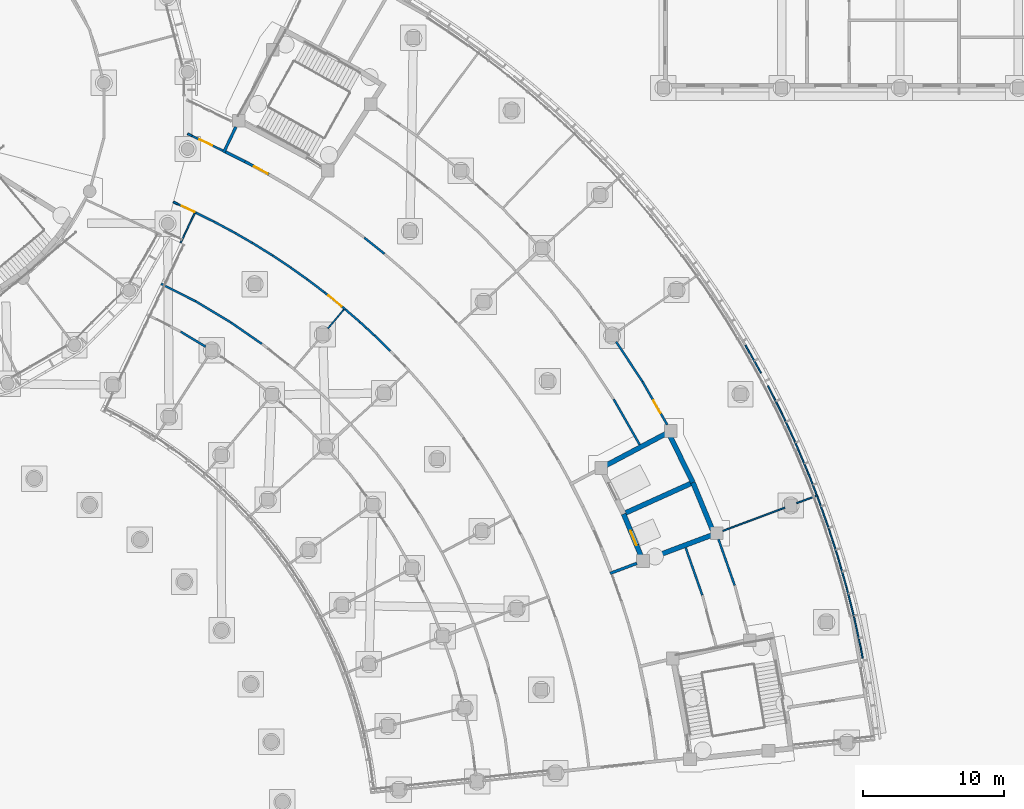
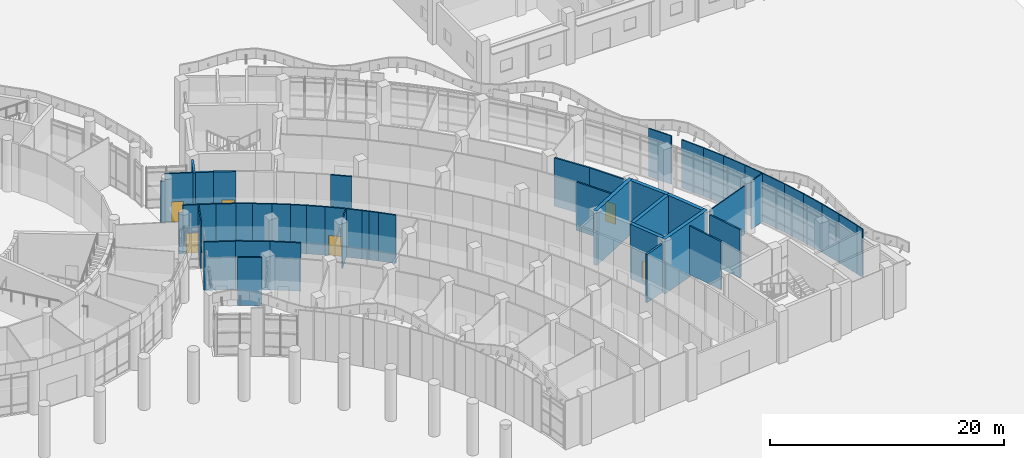
# One storey, part 78 of 146: 51 walls, 6 doors, 6 openings.
"""IFC4 building model written with IfcOpenShell, lengths in metres."""

import ifcopenshell
import ifcopenshell.guid

model = None  # the IFC model being written
_history = None  # IfcOwnerHistory: only IFC2X3 demands one
_inside = {}  # id of a spatial element -> (the spatial element, [elements in it])
_under = {}  # id of a project, library or spatial element -> (it, [spatial elements below it])
_declared = {}  # id of a project -> (the project, [libraries it declares])
_typed = {}  # id of a type object -> (the type object, [elements of that type])
_made_of = {}  # id of a material, layer set ... -> (it, [elements and type objects made of it])


def new_model(schema):
    """Start an empty IFC model of exactly this schema.

    Asked for "IFC4X3", IfcOpenShell would pick the latest addendum, in which some entities
    have other attributes; the version numbers below select the first issue.
    IFC2X3 requires an IfcOwnerHistory on every rooted entity: one is made here for all.
    """
    global model, _history
    if schema == "IFC4X3":
        model = ifcopenshell.file(schema_version=(4, 3, 0, 0))
    else:
        model = ifcopenshell.file(schema=schema)
    _inside.clear()
    _under.clear()
    _declared.clear()
    _typed.clear()
    _made_of.clear()
    _history = None
    if model.schema == "IFC2X3":
        org = make("IfcOrganization", Name="unknown")
        user = make(
            "IfcPersonAndOrganization",
            ThePerson=make("IfcPerson", FamilyName="unknown"),
            TheOrganization=org,
        )
        app = make(
            "IfcApplication",
            ApplicationDeveloper=org,
            Version="unknown",
            ApplicationFullName="unknown",
            ApplicationIdentifier="unknown",
        )
        _history = make(
            "IfcOwnerHistory",
            OwningUser=user,
            OwningApplication=app,
            ChangeAction="ADDED",
            CreationDate=0,
        )
    return model


def make(cls, **values):
    """One entity of the class cls with the attributes given. An attribute that is None is left unset."""
    return model.create_entity(
        cls, **{name: value for name, value in values.items() if value is not None}
    )


def rooted(cls, **values):
    """An entity with a GlobalId (a new one), such as an element, a storey or a relation."""
    return make(cls, GlobalId=ifcopenshell.guid.new(), OwnerHistory=_history, **values)


def si_unit(unit_type, name, prefix=None):
    """IfcSIUnit, for example si_unit("LENGTHUNIT", "METRE", prefix="MILLI")."""
    return make("IfcSIUnit", UnitType=unit_type, Prefix=prefix, Name=name)


def assignment(units):
    """IfcUnitAssignment: the units of a project."""
    return None if units is None else make("IfcUnitAssignment", Units=units)


def point(xyz):
    """IfcCartesianPoint."""
    return None if xyz is None else make("IfcCartesianPoint", Coordinates=xyz)


def direction(xyz):
    """IfcDirection."""
    return None if xyz is None else make("IfcDirection", DirectionRatios=xyz)


def frame(location, z_axis=None, x_axis=None):
    """IfcAxis2Placement3D, a coordinate frame: its origin and axes. An axis left out is left unset."""
    return make(
        "IfcAxis2Placement3D",
        Location=point(location),
        Axis=direction(z_axis),
        RefDirection=direction(x_axis),
    )


def frame_2d(location, x_axis=None):
    """IfcAxis2Placement2D, a coordinate frame in the plane: its origin and x axis."""
    return make(
        "IfcAxis2Placement2D", Location=point(location), RefDirection=direction(x_axis)
    )


def origin():
    """The frame at (0, 0, 0) with its axes left unset."""
    return frame((0.0, 0.0, 0.0))


def place(relative_to, where):
    """IfcLocalPlacement: puts the frame where relative to a parent placement (None: the world)."""
    return make(
        "IfcLocalPlacement", PlacementRelTo=relative_to, RelativePlacement=where
    )


def context(
    kind, dimensions, precision=None, world=None, true_north=None, identifier=None
):
    """IfcGeometricRepresentationContext, for example the 3D "Model" context."""
    return make(
        "IfcGeometricRepresentationContext",
        ContextIdentifier=identifier,
        ContextType=kind,
        CoordinateSpaceDimension=dimensions,
        Precision=precision,
        WorldCoordinateSystem=world,
        TrueNorth=true_north,
    )


def subcontext(parent, identifier, kind, view, scale=None):
    """IfcGeometricRepresentationSubContext, for example "Body" below "Model"."""
    return make(
        "IfcGeometricRepresentationSubContext",
        ContextIdentifier=identifier,
        ContextType=kind,
        ParentContext=parent,
        TargetScale=scale,
        TargetView=view,
    )


def project(units=None, contexts=None):
    """IfcProject with its units and contexts."""
    return rooted(
        "IfcProject",
        Name="project",
        RepresentationContexts=contexts,
        UnitsInContext=assignment(units),
    )


def spatial(cls, under=None, at=None, **own):
    """A site, building, storey or space (cls), placed at a placement, below another one or the project."""
    s = rooted(cls, ObjectPlacement=at, **own)
    if under is not None:
        _under.setdefault(under.id(), (under, []))[1].append(s)
    return s


def profile(cls, at=None, kind="AREA", **sizes):
    """A parametric profile (cls). Its sizes go by their IFC names, for example OverallWidth=200.0."""
    return make(cls, ProfileType=kind, Position=at, **sizes)


def rectangle(**sizes):
    """IfcRectangleProfileDef."""
    return profile("IfcRectangleProfileDef", **sizes)


def extrude(swept, where, along, depth):
    """IfcExtrudedAreaSolid: the profile swept, set in the frame where, extruded along a direction by depth."""
    return make(
        "IfcExtrudedAreaSolid",
        SweptArea=swept,
        Position=where,
        ExtrudedDirection=direction(along),
        Depth=depth,
    )


def shape(context_of_items, identifier, shape_type, items):
    """IfcShapeRepresentation: the items that make up one representation, for example the "Body"."""
    return make(
        "IfcShapeRepresentation",
        ContextOfItems=context_of_items,
        RepresentationIdentifier=identifier,
        RepresentationType=shape_type,
        Items=items,
    )


def material(Name=None, Category=None):
    """IfcMaterial."""
    return make("IfcMaterial", Name=Name, Category=Category)


def layer(
    of_material, thickness, ventilated=None, Name=None, Category=None, Priority=None
):
    """IfcMaterialLayer: one layer of a wall or slab, of a material (None: an air gap)."""
    return make(
        "IfcMaterialLayer",
        Material=of_material,
        LayerThickness=thickness,
        IsVentilated=ventilated,
        Name=Name,
        Category=Category,
        Priority=Priority,
    )


def layer_set(layers, Name=None):
    """IfcMaterialLayerSet."""
    return make("IfcMaterialLayerSet", MaterialLayers=layers, LayerSetName=Name)


def made_of(thing, what):
    """Note that an element or type object is made of a material, layer set ...; save() writes the relation."""
    if what is not None:
        _made_of.setdefault(what.id(), (what, []))[1].append(thing)
    return thing


def type_object(cls, material=None, **own):
    """A type object (cls), such as IfcWallType, which elements share."""
    return made_of(rooted(cls, **own), material)


def element(
    cls,
    number,
    at=None,
    inside=None,
    cuts=None,
    type_object=None,
    material=None,
    context=None,
    identifier="Body",
    shape_type=None,
    held_by="IfcProductDefinitionShape",
    body=None,
    shapes=None,
    **own,
):
    """One element of the class cls, such as IfcWall. Its Tag is "e" and its number.

    at: its placement. inside: the storey or other place that contains it. cuts: it is an
    opening in that element (IfcRelVoidsElement). A single representation is given by context,
    identifier, shape_type and body (its items); several are given by shapes. held_by: the class
    of the entity that holds the representations. save() writes the other relations.
    """
    e = rooted(cls, Tag="e%d" % number, ObjectPlacement=at, **own)
    if body is not None:
        shapes = [shape(context, identifier, shape_type, body)]
    if shapes is not None:
        e.Representation = make(held_by, Representations=shapes)
    if inside is not None:
        _inside.setdefault(inside.id(), (inside, []))[1].append(e)
    if cuts is not None:
        rooted(
            "IfcRelVoidsElement", RelatingBuildingElement=cuts, RelatedOpeningElement=e
        )
    if type_object is not None:
        _typed.setdefault(type_object.id(), (type_object, []))[1].append(e)
    return made_of(e, material)


def fill(opening, filler):
    """IfcRelFillsElement: the door or window that sits in an opening."""
    return rooted(
        "IfcRelFillsElement",
        RelatingOpeningElement=opening,
        RelatedBuildingElement=filler,
    )


def aggregate(whole, parts):
    """IfcRelAggregates: a whole, such as a stair, and the parts it consists of."""
    return rooted("IfcRelAggregates", RelatingObject=whole, RelatedObjects=parts)


def save(model, path):
    """Write the relations noted so far, then the file.

    IfcRelAggregates (storeys below a building ...), IfcRelContainedInSpatialStructure (elements
    in a storey), IfcRelDefinesByType, IfcRelAssociatesMaterial and IfcRelDeclares: one each for
    every whole, place, type object, material and project.
    """
    for whole, parts in _under.values():
        aggregate(whole, parts)
    for where, things in _inside.values():
        rooted(
            "IfcRelContainedInSpatialStructure",
            RelatedElements=things,
            RelatingStructure=where,
        )
    for kind, things in _typed.values():
        rooted("IfcRelDefinesByType", RelatedObjects=things, RelatingType=kind)
    for what, things in _made_of.values():
        rooted("IfcRelAssociatesMaterial", RelatedObjects=things, RelatingMaterial=what)
    for by, libraries in _declared.values():
        rooted("IfcRelDeclares", RelatingContext=by, RelatedDefinitions=libraries)
    model.write(path)


model = new_model("IFC4")

# Units and contexts
model_context = context("Model", 3, precision=1e-05, world=origin(), true_north=direction((0.0, 1.0)))
body_context = subcontext(model_context, "Body", "Model", "MODEL_VIEW")
ifc_project = project(units=[si_unit("LENGTHUNIT", "METRE"), si_unit("AREAUNIT", "SQUARE_METRE"), si_unit("VOLUMEUNIT", "CUBIC_METRE"), si_unit("PLANEANGLEUNIT", "RADIAN"), si_unit("MASSUNIT", "GRAM", prefix="KILO")], contexts=[model_context])

# Site, building, storey
site_placement = place(None, origin())
site = spatial("IfcSite", under=ifc_project, at=site_placement, CompositionType="ELEMENT")
building_placement = place(site_placement, origin())
building = spatial("IfcBuilding", under=site, at=building_placement, Name="Bougainvillea Quay General Hospital", CompositionType="ELEMENT")
storey_placement = place(building_placement, origin())
storey = spatial("IfcBuildingStorey", under=building, at=storey_placement, Name="L00", CompositionType="ELEMENT", Elevation=0.0)

# Walls
ifc_material_1 = material(Name="Gypsum board partition on steel studs", Category="steel")
ifc_layer_1 = layer(ifc_material_1, 0.10009765625)
ifc_layer_set_1 = layer_set([ifc_layer_1], Name="Gypsum board partition on steel studs")
wall_type_1 = type_object("IfcWallType", Name="Partition 100 Gypsum board partition EI 30", PredefinedType="PARTITIONING", material=ifc_layer_set_1)
wall_1_placement = place(storey_placement, frame((168.016357421875, 44.14013671875, 0.0), z_axis=(0.0, 0.0, 1.0), x_axis=(0.935850976525, 0.352396012659, 0.0)))
element("IfcWall", 1, at=wall_1_placement, inside=storey, type_object=wall_type_1, Name="Partition 100 mm EI 30", PredefinedType="PARTITIONING", context=body_context, shape_type="SweptSolid", body=[
    extrude(rectangle(XDim=4.708251953125, YDim=0.10009765625, at=frame_2d((2.35400390625, 0.0))), origin(), (0.0, 0.0, 1.0), 5.050048828125),
])
wall_2_placement = place(storey_placement, frame((173.25732421875, 46.113525390625, 0.0), z_axis=(0.0, 0.0, 1.0), x_axis=(0.93586999438, 0.35234550319, 0.0)))
element("IfcWall", 2, at=wall_2_placement, inside=storey, type_object=wall_type_1, Name="Partition 100 mm EI 30", PredefinedType="PARTITIONING", context=body_context, shape_type="SweptSolid", body=[
    extrude(rectangle(XDim=1.597900390625, YDim=0.10009765625, at=frame_2d((0.798828125, 0.0))), origin(), (0.0, 0.0, 1.0), 5.050048828125),
])
wall_3_placement = place(storey_placement, frame((139.98046875, 58.522216796875, 0.0), z_axis=(0.0, 0.0, 1.0), x_axis=(0.644495278204, 0.7646082895, 0.0)))
element("IfcWall", 3, at=wall_3_placement, inside=storey, type_object=wall_type_1, Name="Partition 100 mm EI 30", PredefinedType="PARTITIONING", context=body_context, shape_type="SweptSolid", body=[
    extrude(rectangle(XDim=1.756103515625, YDim=0.10009765625, at=frame_2d((0.8779296875, 0.0))), origin(), (0.0, 0.0, 1.0), 5.050048828125),
])
wall_4_placement = place(storey_placement, frame((174.72314453125, 46.611083984375, 0.0), z_axis=(0.0, 0.0, 1.0), x_axis=(0.336762779461, -0.94158952329, 0.0)))
element("IfcWall", 4, at=wall_4_placement, inside=storey, type_object=wall_type_1, Name="Partition 100 mm EI 30", PredefinedType="PARTITIONING", context=body_context, shape_type="SweptSolid", body=[
    extrude(rectangle(XDim=2.46630859375, YDim=0.10009765625, at=frame_2d((1.233154296875, 0.0))), origin(), (0.0, 0.0, 1.0), 5.050048828125),
])
wall_5_placement = place(storey_placement, frame((129.52001953125, 64.60205078125, 0.0), z_axis=(0.0, 0.0, 1.0), x_axis=(0.430496224864, 0.902592377753, 0.0)))
element("IfcWall", 5, at=wall_5_placement, inside=storey, type_object=wall_type_1, Name="Partition 100 mm EI 30", PredefinedType="PARTITIONING", context=body_context, shape_type="SweptSolid", body=[
    extrude(rectangle(XDim=2.323974609375, YDim=0.10009765625, at=frame_2d((1.162109375, 0.0))), origin(), (0.0, 0.0, 1.0), 5.050048828125),
])
wall_6_placement = place(storey_placement, frame((169.62353515625, 57.32958984375, 0.0), z_axis=(0.0, 0.0, 1.0), x_axis=(0.490245804698, -0.871584219095, 0.0)))
element("IfcWall", 6, at=wall_6_placement, inside=storey, type_object=wall_type_1, Name="Partition 100 mm EI 30", PredefinedType="PARTITIONING", context=body_context, shape_type="SweptSolid", body=[
    extrude(rectangle(XDim=2.2529296875, YDim=0.10009765625, at=frame_2d((1.12646484375, 0.0))), origin(), (0.0, 0.0, 1.0), 5.050048828125),
])
wall_7_placement = place(storey_placement, frame((171.220947265625, 54.444091796875, 0.0), z_axis=(0.0, 0.0, 1.0), x_axis=(0.449727785834, -0.893165672565, 0.0)))
element("IfcWall", 7, at=wall_7_placement, inside=storey, type_object=wall_type_1, Name="Partition 100 mm EI 30", PredefinedType="PARTITIONING", context=body_context, shape_type="SweptSolid", body=[
    extrude(rectangle(XDim=2.251220703125, YDim=0.10009765625, at=frame_2d((1.12548828125, 0.0))), origin(), (0.0, 0.0, 1.0), 5.050048828125),
])
wall_8_placement = place(storey_placement, frame((173.118408203125, 50.529052734375, 0.0), z_axis=(0.0, 0.0, 1.0), x_axis=(0.392535641105, -0.919736794122, 0.0)))
element("IfcWall", 8, at=wall_8_placement, inside=storey, type_object=wall_type_1, Name="Partition 100 mm EI 30", PredefinedType="PARTITIONING", context=body_context, shape_type="SweptSolid", body=[
    extrude(rectangle(XDim=2.300537109375, YDim=0.10009765625, at=frame_2d((1.150390625, 0.0))), origin(), (0.0, 0.0, 1.0), 5.050048828125),
])
wall_9_placement = place(storey_placement, frame((177.336181640625, 38.039794921875, 0.0), z_axis=(0.0, 0.0, 1.0), x_axis=(0.213187334012, -0.977011341089, 0.0)))
element("IfcWall", 9, at=wall_9_placement, inside=storey, type_object=wall_type_1, Name="Partition 100 mm EI 30", PredefinedType="PARTITIONING", context=body_context, shape_type="SweptSolid", body=[
    extrude(rectangle(XDim=2.30078125, YDim=0.10009765625, at=frame_2d((1.150390625, 0.0))), origin(), (0.0, 0.0, 1.0), 5.050048828125),
])
wall_10_placement = place(storey_placement, frame((175.5517578125, 44.289794921875, 0.0), z_axis=(0.0, 0.0, 1.0), x_axis=(0.304461914253, -0.952524510325, 0.0)))
element("IfcWall", 10, at=wall_10_placement, inside=storey, type_object=wall_type_1, Name="Partition 100 mm EI 30", PredefinedType="PARTITIONING", context=body_context, shape_type="SweptSolid", body=[
    extrude(rectangle(XDim=2.201904296875, YDim=0.10009765625, at=frame_2d((1.10107421875, 0.0))), origin(), (0.0, 0.0, 1.0), 5.050048828125),
])
wall_11_placement = place(storey_placement, frame((176.22021484375, 42.193359375, 0.0), z_axis=(0.0, 0.0, 1.0), x_axis=(0.274105977671, -0.961699492048, 0.0)))
element("IfcWall", 11, at=wall_11_placement, inside=storey, type_object=wall_type_1, Name="Partition 100 mm EI 30", PredefinedType="PARTITIONING", context=body_context, shape_type="SweptSolid", body=[
    extrude(rectangle(XDim=2.20166015625, YDim=0.10009765625, at=frame_2d((1.100830078125, 0.0))), origin(), (0.0, 0.0, 1.0), 5.050048828125),
])
wall_12_placement = place(storey_placement, frame((172.2314453125, 52.43408203125, 0.0), z_axis=(0.0, 0.0, 1.0), x_axis=(0.42144215668, -0.906855285353, 0.0)))
element("IfcWall", 12, at=wall_12_placement, inside=storey, type_object=wall_type_1, Name="Partition 100 mm EI 30", PredefinedType="PARTITIONING", context=body_context, shape_type="SweptSolid", body=[
    extrude(rectangle(XDim=2.102783203125, YDim=0.10009765625, at=frame_2d((1.05126953125, 0.0))), origin(), (0.0, 0.0, 1.0), 5.050048828125),
])
wall_13_placement = place(storey_placement, frame((176.82177734375, 40.076904296875, 0.0), z_axis=(0.0, 0.0, 1.0), x_axis=(0.244201941447, -0.969724399917, 0.0)))
element("IfcWall", 13, at=wall_13_placement, inside=storey, type_object=wall_type_1, Name="Partition 100 mm EI 30", PredefinedType="PARTITIONING", context=body_context, shape_type="SweptSolid", body=[
    extrude(rectangle(XDim=2.1025390625, YDim=0.10009765625, at=frame_2d((1.05126953125, 0.0))), origin(), (0.0, 0.0, 1.0), 5.050048828125),
])
wall_14_placement = place(storey_placement, frame((174.019775390625, 48.413818359375, 0.0), z_axis=(0.0, 0.0, 1.0), x_axis=(0.364148326517, -0.931340966722, 0.0)))
element("IfcWall", 14, at=wall_14_placement, inside=storey, type_object=wall_type_1, Name="Partition 100 mm EI 30", PredefinedType="PARTITIONING", context=body_context, shape_type="SweptSolid", body=[
    extrude(rectangle(XDim=1.833740234375, YDim=0.10009765625, at=frame_2d((0.9169921875, 0.0))), origin(), (0.0, 0.0, 1.0), 5.050048828125),
])
wall_15_placement = place(storey_placement, frame((177.824951171875, 35.793212890625, 0.0), z_axis=(0.0, 0.0, 1.0), x_axis=(0.184038826222, -0.982918974505, 0.0)))
element("IfcWall", 15, at=wall_15_placement, inside=storey, type_object=wall_type_1, Name="Partition 100 mm EI 30", PredefinedType="PARTITIONING", context=body_context, shape_type="SweptSolid", body=[
    extrude(rectangle(XDim=0.70849609375, YDim=0.10009765625, at=frame_2d((0.354248046875, 0.0))), origin(), (0.0, 0.0, 1.0), 5.050048828125),
])

# Wall, opening, door
ifc_material_2 = material(Name="Gypsum board partition on steel studs, insulated", Category="steel")
ifc_layer_2 = layer(ifc_material_2, 0.14990234375)
ifc_layer_set_2 = layer_set([ifc_layer_2], Name="Gypsum board partition on steel studs, insulated")
wall_type_2 = type_object("IfcWallType", Name="Partition 150 Gypsum board partition EI 30", PredefinedType="PARTITIONING", material=ifc_layer_set_2)
wall_16_placement = place(storey_placement, frame((162.312744140625, 54.758056640625, 0.0), z_axis=(0.0, 0.0, 1.0), x_axis=(0.496582798362, -0.867989357291, 0.0)))
wall_16 = element("IfcWall", 16, at=wall_16_placement, inside=storey, type_object=wall_type_2, Name="Partition 150 mm EI 30", PredefinedType="PARTITIONING", context=body_context, shape_type="SweptSolid", body=[
    extrude(rectangle(XDim=3.553466796875, YDim=0.14990234375, at=frame_2d((1.77685546875, 0.0))), origin(), (0.0, 0.0, 1.0), 5.050048828125),
])
opening_1_placement = place(wall_16_placement, frame((1.56591796875, 0.0, 0.0)))
opening_1 = element("IfcOpeningElement", 17, at=opening_1_placement, cuts=wall_16, Name="Opening L00.274", PredefinedType="OPENING", context=body_context, shape_type="SweptSolid", body=[
    extrude(rectangle(XDim=1.0, YDim=2.10009765625, at=frame_2d((0.5, 1.050048828125))), frame((0.0, 0.0849609375, 0.0), z_axis=(0.0, -1.0, 0.0), x_axis=(1.0, 0.0, 0.0)), (0.0, 0.0, 1.0), 0.169921875),
])
ifc_material_3 = material(Name="Solid-core timber door leaf in steel frame", Category="steel")
door_type_1 = type_object("IfcDoorType", Name="Single leaf door 1000x2100 FD30S", OperationType="NOTDEFINED", PredefinedType="DOOR", material=ifc_material_3)
door_1_placement = place(opening_1_placement, origin())
door_1 = element("IfcDoor", 18, at=door_1_placement, inside=storey, type_object=door_type_1, Name="DT15 L00.274", OperationType="SINGLE_SWING_RIGHT", OverallHeight=2.10009765625, OverallWidth=1.0, PredefinedType="DOOR", context=body_context, shape_type="SweptSolid", body=[
    extrude(rectangle(XDim=1.0, YDim=2.10009765625, at=frame_2d((0.5, 1.050048828125))), frame((0.0, 0.02490234375, 0.0), z_axis=(0.0, -1.0, 0.0), x_axis=(1.0, 0.0, 0.0)), (0.0, 0.0, 1.0), 0.050048828125),
])
fill(opening_1, door_1)

# Walls
wall_17_placement = place(storey_placement, frame((160.44775390625, 57.575439453125, 0.0), z_axis=(0.0, 0.0, 1.0), x_axis=(0.550814058929, -0.834627984485, 0.0)))
element("IfcWall", 19, at=wall_17_placement, inside=storey, type_object=wall_type_2, Name="Partition 150 mm EI 30", PredefinedType="PARTITIONING", context=body_context, shape_type="SweptSolid", body=[
    extrude(rectangle(XDim=3.38330078125, YDim=0.14990234375, at=frame_2d((1.691650390625, 0.0))), origin(), (0.0, 0.0, 1.0), 5.050048828125),
])
wall_18_placement = place(storey_placement, frame((167.711181640625, 43.55859375, 0.0), z_axis=(0.0, 0.0, 1.0), x_axis=(0.330491338893, -0.9438090246, 0.0)))
element("IfcWall", 20, at=wall_18_placement, inside=storey, type_object=wall_type_2, Name="Partition 150 mm EI 30", PredefinedType="PARTITIONING", context=body_context, shape_type="SweptSolid", body=[
    extrude(rectangle(XDim=3.47265625, YDim=0.14990234375, at=frame_2d((1.736328125, 0.0))), origin(), (0.0, 0.0, 1.0), 5.050048828125),
])
wall_19_placement = place(storey_placement, frame((160.268798828125, 53.501220703125, 0.0), z_axis=(0.0, 0.0, 1.0), x_axis=(0.496371795626, -0.8681100394, 0.0)))
element("IfcWall", 21, at=wall_19_placement, inside=storey, type_object=wall_type_2, Name="Partition 150 mm EI 30", PredefinedType="PARTITIONING", context=body_context, shape_type="SweptSolid", body=[
    extrude(rectangle(XDim=3.725830078125, YDim=0.14990234375, at=frame_2d((1.86279296875, 0.0))), origin(), (0.0, 0.0, 1.0), 5.050048828125),
])
wall_20_placement = place(storey_placement, frame((165.38037109375, 42.959716796875, 0.0), z_axis=(0.0, 0.0, 1.0), x_axis=(0.330508329073, -0.943803075018, 0.0)))
element("IfcWall", 22, at=wall_20_placement, inside=storey, type_object=wall_type_2, Name="Partition 150 mm EI 30", PredefinedType="PARTITIONING", context=body_context, shape_type="SweptSolid", body=[
    extrude(rectangle(XDim=3.5810546875, YDim=0.14990234375, at=frame_2d((1.79052734375, 0.0))), origin(), (0.0, 0.0, 1.0), 5.050048828125),
])
wall_21_placement = place(storey_placement, frame((130.02001953125, 72.341064453125, 0.0), z_axis=(0.0, 0.0, 1.0), x_axis=(0.902370112598, -0.430961923945, 0.0)))
element("IfcWall", 23, at=wall_21_placement, inside=storey, type_object=wall_type_2, Name="Partition 150 mm EI 30", PredefinedType="PARTITIONING", context=body_context, shape_type="SweptSolid", body=[
    extrude(rectangle(XDim=0.35009765625, YDim=0.14990234375, at=frame_2d((0.175048828125, 0.0))), origin(), (0.0, 0.0, 1.0), 4.280029296875),
])

# Wall, opening, door
wall_22_placement = place(storey_placement, frame((130.3359375, 72.190185546875, 0.0), z_axis=(0.0, 0.0, 1.0), x_axis=(0.902631912759, -0.430413324688, 0.0)))
wall_22 = element("IfcWall", 24, at=wall_22_placement, inside=storey, type_object=wall_type_2, Name="Partition 150 mm EI 30", PredefinedType="PARTITIONING", context=body_context, shape_type="SweptSolid", body=[
    extrude(rectangle(XDim=2.429443359375, YDim=0.14990234375, at=frame_2d((1.21484375, 0.0))), origin(), (0.0, 0.0, 1.0), 5.050048828125),
])
opening_2_placement = place(wall_22_placement, frame((0.59033203125, 0.0, 0.0)))
opening_2 = element("IfcOpeningElement", 25, at=opening_2_placement, cuts=wall_22, Name="Opening L00.287", PredefinedType="OPENING", context=body_context, shape_type="SweptSolid", body=[
    extrude(rectangle(XDim=1.0, YDim=2.10009765625, at=frame_2d((0.5, 1.050048828125))), frame((0.0, 0.0849609375, 0.0), z_axis=(0.0, -1.0, 0.0), x_axis=(1.0, 0.0, 0.0)), (0.0, 0.0, 1.0), 0.169921875),
])
door_2_placement = place(opening_2_placement, origin())
door_2 = element("IfcDoor", 26, at=door_2_placement, inside=storey, type_object=door_type_1, Name="DT15 L00.287", OperationType="SINGLE_SWING_LEFT", OverallHeight=2.10009765625, OverallWidth=1.0, PredefinedType="DOOR", context=body_context, shape_type="SweptSolid", body=[
    extrude(rectangle(XDim=1.0, YDim=2.10009765625, at=frame_2d((0.5, 1.050048828125))), frame((0.0, 0.02490234375, 0.0), z_axis=(0.0, -1.0, 0.0), x_axis=(1.0, 0.0, 0.0)), (0.0, 0.0, 1.0), 0.050048828125),
])
fill(opening_2, door_2)

# Walls
wall_23_placement = place(storey_placement, frame((130.57177734375, 60.463623046875, 0.0), z_axis=(0.0, 0.0, 1.0), x_axis=(0.857369075188, -0.514702116676, 0.0)))
element("IfcWall", 27, at=wall_23_placement, inside=storey, type_object=wall_type_2, Name="Partition 150 mm EI 30", PredefinedType="PARTITIONING", context=body_context, shape_type="SweptSolid", body=[
    extrude(rectangle(XDim=2.95751953125, YDim=0.14990234375, at=frame_2d((1.478759765625, 0.0))), origin(), (0.0, 0.0, 1.0), 5.050048828125),
])
wall_24_placement = place(storey_placement, frame((133.100830078125, 58.93994140625, 0.0), z_axis=(0.0, 0.0, 1.0), x_axis=(0.822620530797, -0.568590768754, 0.0)))
element("IfcWall", 28, at=wall_24_placement, inside=storey, type_object=wall_type_2, Name="Partition 150 mm EI 30", PredefinedType="PARTITIONING", context=body_context, shape_type="SweptSolid", body=[
    extrude(rectangle(XDim=2.666015625, YDim=0.14990234375, at=frame_2d((1.3330078125, 0.0))), origin(), (0.0, 0.0, 1.0), 5.050048828125),
])
wall_25_placement = place(storey_placement, frame((128.132080078125, 61.69189453125, 0.0), z_axis=(0.0, 0.0, 1.0), x_axis=(0.892275475515, -0.45149139061, 0.0)))
element("IfcWall", 29, at=wall_25_placement, inside=storey, type_object=wall_type_2, Name="Partition 150 mm EI 30", PredefinedType="PARTITIONING", context=body_context, shape_type="SweptSolid", body=[
    extrude(rectangle(XDim=2.736083984375, YDim=0.14990234375, at=frame_2d((1.3681640625, 0.0))), origin(), (0.0, 0.0, 1.0), 5.050048828125),
])
wall_26_placement = place(storey_placement, frame((129.52685546875, 58.29296875, 0.0), z_axis=(0.0, 0.0, 1.0), x_axis=(0.8573370195, -0.514755509922, 0.0)))
element("IfcWall", 30, at=wall_26_placement, inside=storey, type_object=wall_type_2, Name="Partition 150 mm EI 30", PredefinedType="PARTITIONING", context=body_context, shape_type="SweptSolid", body=[
    extrude(rectangle(XDim=2.072998046875, YDim=0.14990234375, at=frame_2d((1.03662109375, 0.0))), origin(), (0.0, 0.0, 1.0), 5.050048828125),
])

# Wall, opening, door
wall_27_placement = place(storey_placement, frame((139.75, 61.074462890625, 0.0), z_axis=(0.0, 0.0, 1.0), x_axis=(0.774713973469, -0.63231183708, 0.0)))
wall_27 = element("IfcWall", 31, at=wall_27_placement, inside=storey, type_object=wall_type_2, Name="Partition 150 mm EI 30", PredefinedType="PARTITIONING", context=body_context, shape_type="SweptSolid", body=[
    extrude(rectangle(XDim=1.896240234375, YDim=0.14990234375, at=frame_2d((0.9482421875, 0.0))), origin(), (0.0, 0.0, 1.0), 5.050048828125),
])
opening_3_placement = place(wall_27_placement, frame((0.34814453125, 0.0, 0.0)))
opening_3 = element("IfcOpeningElement", 32, at=opening_3_placement, cuts=wall_27, Name="Opening L00.240", PredefinedType="OPENING", context=body_context, shape_type="SweptSolid", body=[
    extrude(rectangle(XDim=1.199951171875, YDim=2.10009765625, at=frame_2d((0.60009765625, 1.050048828125))), frame((0.0, 0.0849609375, 0.0), z_axis=(0.0, -1.0, 0.0), x_axis=(1.0, 0.0, 0.0)), (0.0, 0.0, 1.0), 0.169921875),
])
door_type_2 = type_object("IfcDoorType", Name="Single leaf door 1200x2100", OperationType="NOTDEFINED", PredefinedType="DOOR", material=ifc_material_3)
door_3_placement = place(opening_3_placement, origin())
door_3 = element("IfcDoor", 33, at=door_3_placement, inside=storey, type_object=door_type_2, Name="DT13 L00.240", OperationType="SINGLE_SWING_RIGHT", OverallHeight=2.10009765625, OverallWidth=1.199951171875, PredefinedType="DOOR", context=body_context, shape_type="SweptSolid", body=[
    extrude(rectangle(XDim=1.199951171875, YDim=2.10009765625, at=frame_2d((0.60009765625, 1.050048828125))), frame((0.0, 0.02490234375, 0.0), z_axis=(0.0, -1.0, 0.0), x_axis=(1.0, 0.0, 0.0)), (0.0, 0.0, 1.0), 0.050048828125),
])
fill(opening_3, door_3)

# Wall
wall_28_placement = place(storey_placement, frame((129.012939453125, 67.5029296875, 0.0), z_axis=(0.0, 0.0, 1.0), x_axis=(0.902641205527, -0.43039383602, 0.0)))
element("IfcWall", 34, at=wall_28_placement, inside=storey, type_object=wall_type_2, Name="Partition 150 mm EI 30", PredefinedType="PARTITIONING", context=body_context, shape_type="SweptSolid", body=[
    extrude(rectangle(XDim=0.35009765625, YDim=0.14990234375, at=frame_2d((0.175048828125, 0.0))), origin(), (0.0, 0.0, 1.0), 4.280029296875),
])

# Wall, opening, door
wall_29_placement = place(storey_placement, frame((129.328857421875, 67.352294921875, 0.0), z_axis=(0.0, 0.0, 1.0), x_axis=(0.902431306123, -0.430833770415, 0.0)))
wall_29 = element("IfcWall", 35, at=wall_29_placement, inside=storey, type_object=wall_type_2, Name="Partition 150 mm EI 30", PredefinedType="PARTITIONING", context=body_context, shape_type="SweptSolid", body=[
    extrude(rectangle(XDim=1.431396484375, YDim=0.14990234375, at=frame_2d((0.7158203125, 0.0))), origin(), (0.0, 0.0, 1.0), 5.050048828125),
])
opening_4_placement = place(wall_29_placement, frame((0.30322265625, 0.0, 0.0)))
opening_4 = element("IfcOpeningElement", 36, at=opening_4_placement, cuts=wall_29, Name="Opening L00.286", PredefinedType="OPENING", context=body_context, shape_type="SweptSolid", body=[
    extrude(rectangle(XDim=1.0, YDim=2.10009765625, at=frame_2d((0.5, 1.050048828125))), frame((0.0, 0.0849609375, 0.0), z_axis=(0.0, -1.0, 0.0), x_axis=(1.0, 0.0, 0.0)), (0.0, 0.0, 1.0), 0.169921875),
])
door_4_placement = place(opening_4_placement, frame((1.0, 0.0, 0.0), z_axis=(0.0, 0.0, 1.0), x_axis=(-1.0, 0.0, 0.0)))
door_4 = element("IfcDoor", 37, at=door_4_placement, inside=storey, type_object=door_type_1, Name="DT15 L00.286", OperationType="SINGLE_SWING_LEFT", OverallHeight=2.10009765625, OverallWidth=1.0, PredefinedType="DOOR", context=body_context, shape_type="SweptSolid", body=[
    extrude(rectangle(XDim=1.0, YDim=2.10009765625, at=frame_2d((0.5, 1.050048828125))), frame((0.0, 0.02490234375, 0.0), z_axis=(0.0, -1.0, 0.0), x_axis=(1.0, 0.0, 0.0)), (0.0, 0.0, 1.0), 0.050048828125),
])
fill(opening_4, door_4)

# Walls
wall_30_placement = place(storey_placement, frame((142.565673828125, 64.968017578125, 0.0), z_axis=(0.0, 0.0, 1.0), x_axis=(0.779281308286, -0.626674271496, 0.0)))
element("IfcWall", 38, at=wall_30_placement, inside=storey, type_object=wall_type_2, Name="Partition 150 mm EI 30", PredefinedType="PARTITIONING", context=body_context, shape_type="SweptSolid", body=[
    extrude(rectangle(XDim=1.833251953125, YDim=0.14990234375, at=frame_2d((0.91650390625, 0.0))), origin(), (0.0, 0.0, 1.0), 5.050048828125),
])
wall_31_placement = place(storey_placement, frame((138.50634765625, 62.015380859375, 0.0), z_axis=(0.0, 0.0, 1.0), x_axis=(0.7964030968, -0.604766159278, 0.0)))
element("IfcWall", 39, at=wall_31_placement, inside=storey, type_object=wall_type_2, Name="Partition 150 mm EI 30", PredefinedType="PARTITIONING", context=body_context, shape_type="SweptSolid", body=[
    extrude(rectangle(XDim=1.56201171875, YDim=0.14990234375, at=frame_2d((0.781005859375, 0.0))), origin(), (0.0, 0.0, 1.0), 5.050048828125),
])
wall_32_placement = place(storey_placement, frame((134.609375, 64.597412109375, 0.0), z_axis=(0.0, 0.0, 1.0), x_axis=(0.849799037667, -0.527106816102, 0.0)))
element("IfcWall", 40, at=wall_32_placement, inside=storey, type_object=wall_type_2, Name="Partition 150 mm EI 30", PredefinedType="PARTITIONING", context=body_context, shape_type="SweptSolid", body=[
    extrude(rectangle(XDim=1.708984375, YDim=0.14990234375, at=frame_2d((0.8544921875, 0.0))), origin(), (0.0, 0.0, 1.0), 5.050048828125),
])
wall_33_placement = place(storey_placement, frame((143.29248046875, 58.0224609375, 0.0), z_axis=(0.0, 0.0, 1.0), x_axis=(0.714415993139, -0.699721222164, 0.0)))
element("IfcWall", 41, at=wall_33_placement, inside=storey, type_object=wall_type_2, Name="Partition 150 mm EI 30", PredefinedType="PARTITIONING", context=body_context, shape_type="SweptSolid", body=[
    extrude(rectangle(XDim=1.561767578125, YDim=0.14990234375, at=frame_2d((0.78076171875, 0.0))), origin(), (0.0, 0.0, 1.0), 5.050048828125),
])
wall_34_placement = place(storey_placement, frame((131.8828125, 66.110595703125, 0.0), z_axis=(0.0, 0.0, 1.0), x_axis=(0.881203803206, -0.472736562174, 0.0)))
element("IfcWall", 42, at=wall_34_placement, inside=storey, type_object=wall_type_2, Name="Partition 150 mm EI 30", PredefinedType="PARTITIONING", context=body_context, shape_type="SweptSolid", body=[
    extrude(rectangle(XDim=1.70947265625, YDim=0.14990234375, at=frame_2d((0.854736328125, 0.0))), origin(), (0.0, 0.0, 1.0), 5.050048828125),
])
wall_35_placement = place(storey_placement, frame((133.385986328125, 65.301513671875, 0.0), z_axis=(0.0, 0.0, 1.0), x_axis=(0.865938212252, -0.500150989765, 0.0)))
element("IfcWall", 43, at=wall_35_placement, inside=storey, type_object=wall_type_2, Name="Partition 150 mm EI 30", PredefinedType="PARTITIONING", context=body_context, shape_type="SweptSolid", body=[
    extrude(rectangle(XDim=1.41357421875, YDim=0.14990234375, at=frame_2d((0.706787109375, 0.0))), origin(), (0.0, 0.0, 1.0), 5.050048828125),
])
wall_36_placement = place(storey_placement, frame((136.05859375, 63.69580078125, 0.0), z_axis=(0.0, 0.0, 1.0), x_axis=(0.832723443957, -0.553689141925, 0.0)))
element("IfcWall", 44, at=wall_36_placement, inside=storey, type_object=wall_type_2, Name="Partition 150 mm EI 30", PredefinedType="PARTITIONING", context=body_context, shape_type="SweptSolid", body=[
    extrude(rectangle(XDim=1.560791015625, YDim=0.14990234375, at=frame_2d((0.7802734375, 0.0))), origin(), (0.0, 0.0, 1.0), 5.050048828125),
])
wall_37_placement = place(storey_placement, frame((130.62109375, 66.734130859375, 0.0), z_axis=(0.0, 0.0, 1.0), x_axis=(0.895739562296, -0.444579167907, 0.0)))
element("IfcWall", 45, at=wall_37_placement, inside=storey, type_object=wall_type_2, Name="Partition 150 mm EI 30", PredefinedType="PARTITIONING", context=body_context, shape_type="SweptSolid", body=[
    extrude(rectangle(XDim=1.40966796875, YDim=0.14990234375, at=frame_2d((0.704833984375, 0.0))), origin(), (0.0, 0.0, 1.0), 5.050048828125),
])
wall_38_placement = place(storey_placement, frame((137.355224609375, 62.830810546875, 0.0), z_axis=(0.0, 0.0, 1.0), x_axis=(0.815004293048, -0.579454918276, 0.0)))
element("IfcWall", 46, at=wall_38_placement, inside=storey, type_object=wall_type_2, Name="Partition 150 mm EI 30", PredefinedType="PARTITIONING", context=body_context, shape_type="SweptSolid", body=[
    extrude(rectangle(XDim=1.41259765625, YDim=0.14990234375, at=frame_2d((0.706298828125, 0.0))), origin(), (0.0, 0.0, 1.0), 5.050048828125),
])
wall_39_placement = place(storey_placement, frame((141.21630859375, 59.875244140625, 0.0), z_axis=(0.0, 0.0, 1.0), x_axis=(0.7566031668, -0.653874336542, 0.0)))
element("IfcWall", 47, at=wall_39_placement, inside=storey, type_object=wall_type_2, Name="Partition 150 mm EI 30", PredefinedType="PARTITIONING", context=body_context, shape_type="SweptSolid", body=[
    extrude(rectangle(XDim=1.37353515625, YDim=0.14990234375, at=frame_2d((0.686767578125, 0.0))), origin(), (0.0, 0.0, 1.0), 5.050048828125),
])
wall_40_placement = place(storey_placement, frame((142.68603515625, 58.5830078125, 0.0), z_axis=(0.0, 0.0, 1.0), x_axis=(0.732730451649, -0.680518982268, 0.0)))
element("IfcWall", 48, at=wall_40_placement, inside=storey, type_object=wall_type_2, Name="Partition 150 mm EI 30", PredefinedType="PARTITIONING", context=body_context, shape_type="SweptSolid", body=[
    extrude(rectangle(XDim=0.82763671875, YDim=0.14990234375, at=frame_2d((0.413818359375, 0.0))), origin(), (0.0, 0.0, 1.0), 5.050048828125),
])
wall_41_placement = place(storey_placement, frame((142.2529296875, 58.976806640625, 0.0), z_axis=(0.0, 0.0, 1.0), x_axis=(0.739127036188, -0.673566050492, 0.0)))
element("IfcWall", 49, at=wall_41_placement, inside=storey, type_object=wall_type_2, Name="Partition 150 mm EI 30", PredefinedType="PARTITIONING", context=body_context, shape_type="SweptSolid", body=[
    extrude(rectangle(XDim=0.584716796875, YDim=0.14990234375, at=frame_2d((0.29248046875, 0.0))), origin(), (0.0, 0.0, 1.0), 5.050048828125),
])
ifc_material_4 = material(Name="Fire-rated autoclaved aerated block wall, plastered")
ifc_layer_3 = layer(ifc_material_4, 0.199951171875)
ifc_layer_set_3 = layer_set([ifc_layer_3], Name="Fire-rated autoclaved aerated block wall, plastered")
wall_type_3 = type_object("IfcWallType", Name="Partition 200 Fire-rated autoclaved aerated block wall EI 120", PredefinedType="SOLIDWALL", material=ifc_layer_set_3)
wall_42_placement = place(storey_placement, frame((160.018310546875, 41.1298828125, 0.0), z_axis=(0.0, 0.0, 1.0), x_axis=(0.935835444075, 0.352437259115, 0.0)))
element("IfcWall", 50, at=wall_42_placement, inside=storey, type_object=wall_type_3, Name="Partition 200 mm EI 120", PredefinedType="SOLIDWALL", context=body_context, shape_type="SweptSolid", body=[
    extrude(rectangle(XDim=2.035888671875, YDim=0.199951171875, at=frame_2d((1.01806640625, 0.0))), origin(), (0.0, 0.0, 1.0), 5.050048828125),
])
wall_43_placement = place(storey_placement, frame((132.576904296875, 71.0107421875, 0.0), z_axis=(0.0, 0.0, 1.0), x_axis=(0.430518201576, 0.902581895515, 0.0)))
element("IfcWall", 51, at=wall_43_placement, inside=storey, type_object=wall_type_3, Name="Partition 200 mm EI 120", PredefinedType="SOLIDWALL", context=body_context, shape_type="SweptSolid", body=[
    extrude(rectangle(XDim=2.009765625, YDim=0.199951171875, at=frame_2d((1.0048828125, 0.0))), origin(), (0.0, 0.0, 1.0), 5.050048828125),
])

# Wall, opening, door
wall_44_placement = place(storey_placement, frame((134.0859375, 70.37646484375, 0.0), z_axis=(0.0, 0.0, 1.0), x_axis=(0.880766540035, -0.473550738521, 0.0)))
wall_44 = element("IfcWall", 52, at=wall_44_placement, inside=storey, type_object=wall_type_3, Name="Partition 200 mm EI 120", PredefinedType="SOLIDWALL", context=body_context, shape_type="SweptSolid", body=[
    extrude(rectangle(XDim=1.935791015625, YDim=0.199951171875, at=frame_2d((0.9677734375, 0.0))), origin(), (0.0, 0.0, 1.0), 5.050048828125),
])
opening_5_placement = place(wall_44_placement, frame((0.736083984375, 0.0, 0.0)))
opening_5 = element("IfcOpeningElement", 53, at=opening_5_placement, cuts=wall_44, Name="Opening L00.305", PredefinedType="OPENING", context=body_context, shape_type="SweptSolid", body=[
    extrude(rectangle(XDim=1.10009765625, YDim=2.10009765625, at=frame_2d((0.550048828125, 1.050048828125))), frame((0.0, 0.10986328125, 0.0), z_axis=(0.0, -1.0, 0.0), x_axis=(1.0, 0.0, 0.0)), (0.0, 0.0, 1.0), 0.219970703125),
])
ifc_material_5 = material(Name="Steel fire door leaf in steel frame", Category="steel")
door_type_3 = type_object("IfcDoorType", Name="Steel single leaf door 1100x2100 FD60", OperationType="NOTDEFINED", PredefinedType="DOOR", material=ifc_material_5)
door_5_placement = place(opening_5_placement, origin())
door_5 = element("IfcDoor", 54, at=door_5_placement, inside=storey, type_object=door_type_3, Name="DT04 L00.305", OperationType="SINGLE_SWING_RIGHT", OverallHeight=2.10009765625, OverallWidth=1.10009765625, PredefinedType="DOOR", context=body_context, shape_type="SweptSolid", body=[
    extrude(rectangle(XDim=1.10009765625, YDim=2.10009765625, at=frame_2d((0.550048828125, 1.050048828125))), frame((0.0, 0.02490234375, 0.0), z_axis=(0.0, -1.0, 0.0), x_axis=(1.0, 0.0, 0.0)), (0.0, 0.0, 1.0), 0.050048828125),
])
fill(opening_5, door_5)

# Walls
wall_45_placement = place(storey_placement, frame((132.7109375, 71.055908203125, 0.0), z_axis=(0.0, 0.0, 1.0), x_axis=(0.895536498634, -0.444988066822, 0.0)))
element("IfcWall", 55, at=wall_45_placement, inside=storey, type_object=wall_type_3, Name="Partition 200 mm EI 120", PredefinedType="SOLIDWALL", context=body_context, shape_type="SweptSolid", body=[
    extrude(rectangle(XDim=1.536865234375, YDim=0.199951171875, at=frame_2d((0.7685546875, 0.0))), origin(), (0.0, 0.0, 1.0), 5.050048828125),
])
ifc_material_6 = material(Name="Concrete C40", Category="concrete")
ifc_layer_4 = layer(ifc_material_6, 0.35009765625)
ifc_layer_set_4 = layer_set([ifc_layer_4], Name="Concrete C40")
wall_type_4 = type_object("IfcWallType", Name="RC SHEAR WALL 350 C40", PredefinedType="SHEAR", material=ifc_layer_set_4)
wall_46_placement = place(storey_placement, frame((159.224365234375, 48.531005859375, -0.300048828125), z_axis=(0.0, 0.0, 1.0), x_axis=(0.883393138637, 0.468632652094, 0.0)))
element("IfcWall", 56, at=wall_46_placement, inside=storey, type_object=wall_type_4, Name="Shear wall L00", PredefinedType="SHEAR", context=body_context, shape_type="SweptSolid", body=[
    extrude(rectangle(XDim=5.7509765625, YDim=0.35009765625, at=frame_2d((2.87548828125, 0.0))), origin(), (0.0, 0.0, 1.0), 5.699951171875),
])

# Wall, opening, door
wall_47_placement = place(storey_placement, frame((160.97607421875, 45.354736328125, -0.300048828125), z_axis=(0.0, 0.0, 1.0), x_axis=(0.381990591944, -0.924166212143, 0.0)))
wall_47 = element("IfcWall", 57, at=wall_47_placement, inside=storey, type_object=wall_type_4, Name="Shear wall L00", PredefinedType="SHEAR", context=body_context, shape_type="SweptSolid", body=[
    extrude(rectangle(XDim=3.44287109375, YDim=0.35009765625, at=frame_2d((1.721435546875, 0.0))), origin(), (0.0, 0.0, 1.0), 5.699951171875),
])
opening_6_placement = place(wall_47_placement, frame((1.300048828125, 0.0, 0.300048828125)))
opening_6 = element("IfcOpeningElement", 58, at=opening_6_placement, cuts=wall_47, Name="Opening LD-E1.2-L00", PredefinedType="OPENING", context=body_context, shape_type="SweptSolid", body=[
    extrude(rectangle(XDim=1.10009765625, YDim=2.10009765625, at=frame_2d((0.550048828125, 1.050048828125))), frame((0.0, 0.18505859375, 0.0), z_axis=(0.0, -1.0, 0.0), x_axis=(1.0, 0.0, 0.0)), (0.0, 0.0, 1.0), 0.3701171875),
])
ifc_material_7 = material(Name="Stainless steel centre-opening landing door", Category="steel")
door_type_4 = type_object("IfcDoorType", Name="Lift landing door 1100x2100 E 120", OperationType="DOUBLE_DOOR_SLIDING", PredefinedType="DOOR", material=ifc_material_7)
door_6_placement = place(opening_6_placement, origin())
door_6 = element("IfcDoor", 59, at=door_6_placement, inside=storey, type_object=door_type_4, Name="Lift landing door LB-E1-2 L00", OperationType="DOUBLE_DOOR_SLIDING", OverallHeight=2.10009765625, OverallWidth=1.10009765625, PredefinedType="DOOR", context=body_context, shape_type="SweptSolid", body=[
    extrude(rectangle(XDim=1.10009765625, YDim=2.10009765625, at=frame_2d((0.550048828125, 1.050048828125))), frame((0.0, 0.02490234375, 0.0), z_axis=(0.0, -1.0, 0.0), x_axis=(1.0, 0.0, 0.0)), (0.0, 0.0, 1.0), 0.050048828125),
])
fill(opening_6, door_6)

# Walls
wall_48_placement = place(storey_placement, frame((161.133544921875, 45.431884765625, -0.300048828125), z_axis=(0.0, 0.0, 1.0), x_axis=(0.911564728385, 0.411156595427, 0.0)))
element("IfcWall", 60, at=wall_48_placement, inside=storey, type_object=wall_type_4, Name="Shear wall L00", PredefinedType="SHEAR", context=body_context, shape_type="SweptSolid", body=[
    extrude(rectangle(XDim=5.049560546875, YDim=0.35009765625, at=frame_2d((2.52490234375, 0.0))), origin(), (0.0, 0.0, 1.0), 5.699951171875),
])
wall_49_placement = place(storey_placement, frame((162.1943359375, 41.949462890625, -0.300048828125), z_axis=(0.0, 0.0, 1.0), x_axis=(0.935920223106, 0.352212061095, 0.0)))
element("IfcWall", 61, at=wall_49_placement, inside=storey, type_object=wall_type_4, Name="Shear wall L00", PredefinedType="SHEAR", context=body_context, shape_type="SweptSolid", body=[
    extrude(rectangle(XDim=5.749755859375, YDim=0.35009765625, at=frame_2d((2.875, 0.0))), origin(), (0.0, 0.0, 1.0), 5.699951171875),
])
wall_50_placement = place(storey_placement, frame((165.8935546875, 47.5849609375, -0.300048828125), z_axis=(0.0, 0.0, 1.0), x_axis=(-0.43992897418, 0.898032570499, 0.0)))
element("IfcWall", 62, at=wall_50_placement, inside=storey, type_object=wall_type_4, Name="Shear wall L00", PredefinedType="SHEAR", context=body_context, shape_type="SweptSolid", body=[
    extrude(rectangle(XDim=3.7880859375, YDim=0.35009765625, at=frame_2d((1.89404296875, 0.0))), origin(), (0.0, 0.0, 1.0), 5.699951171875),
])
wall_51_placement = place(storey_placement, frame((167.34521484375, 44.07470703125, -0.300048828125), z_axis=(0.0, 0.0, 1.0), x_axis=(-0.382046231428, 0.924143212415, 0.0)))
element("IfcWall", 63, at=wall_51_placement, inside=storey, type_object=wall_type_4, Name="Shear wall L00", PredefinedType="SHEAR", context=body_context, shape_type="SweptSolid", body=[
    extrude(rectangle(XDim=3.78759765625, YDim=0.35009765625, at=frame_2d((1.893798828125, 0.0))), origin(), (0.0, 0.0, 1.0), 5.699951171875),
])

save(model, "model.ifc")
